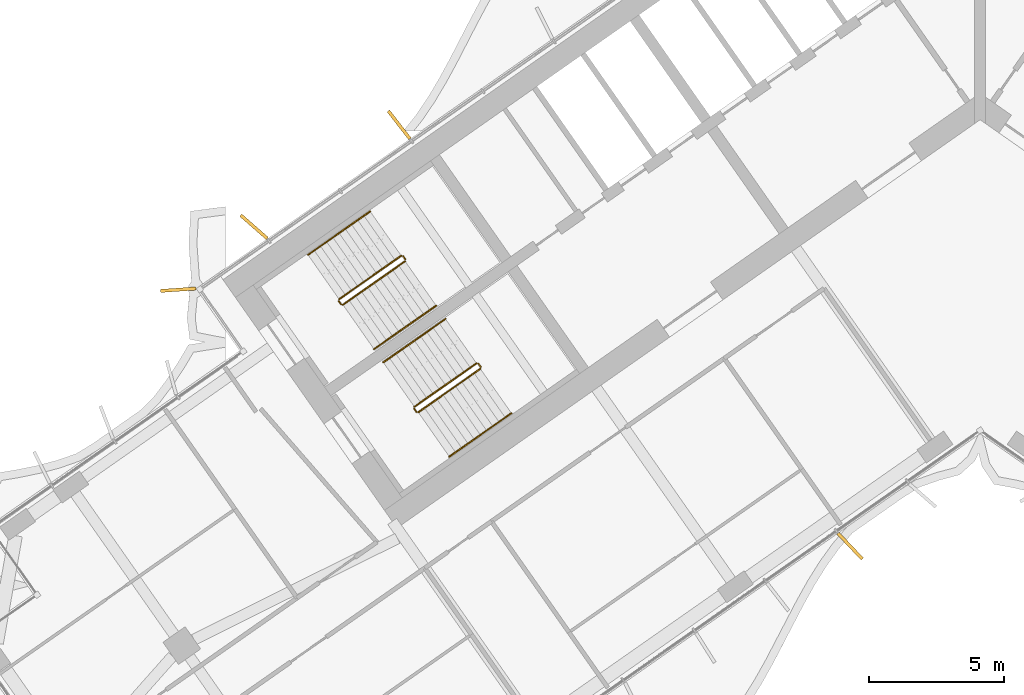
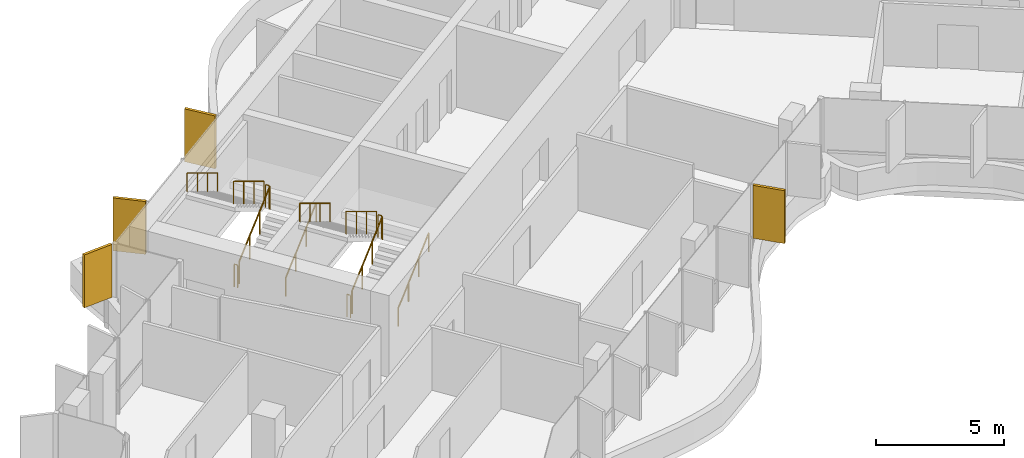
# One storey, part 20 of 23: 12 railings, 4 shading devices.
"""IFC4 building model written with IfcOpenShell, lengths in metres."""

import ifcopenshell
import ifcopenshell.guid

model = None  # the IFC model being written
_history = None  # IfcOwnerHistory: only IFC2X3 demands one
_inside = {}  # id of a spatial element -> (the spatial element, [elements in it])
_under = {}  # id of a project, library or spatial element -> (it, [spatial elements below it])
_declared = {}  # id of a project -> (the project, [libraries it declares])
_typed = {}  # id of a type object -> (the type object, [elements of that type])
_made_of = {}  # id of a material, layer set ... -> (it, [elements and type objects made of it])


def new_model(schema):
    """Start an empty IFC model of exactly this schema.

    Asked for "IFC4X3", IfcOpenShell would pick the latest addendum, in which some entities
    have other attributes; the version numbers below select the first issue.
    IFC2X3 requires an IfcOwnerHistory on every rooted entity: one is made here for all.
    """
    global model, _history
    if schema == "IFC4X3":
        model = ifcopenshell.file(schema_version=(4, 3, 0, 0))
    else:
        model = ifcopenshell.file(schema=schema)
    _inside.clear()
    _under.clear()
    _declared.clear()
    _typed.clear()
    _made_of.clear()
    _history = None
    if model.schema == "IFC2X3":
        org = make("IfcOrganization", Name="unknown")
        user = make(
            "IfcPersonAndOrganization",
            ThePerson=make("IfcPerson", FamilyName="unknown"),
            TheOrganization=org,
        )
        app = make(
            "IfcApplication",
            ApplicationDeveloper=org,
            Version="unknown",
            ApplicationFullName="unknown",
            ApplicationIdentifier="unknown",
        )
        _history = make(
            "IfcOwnerHistory",
            OwningUser=user,
            OwningApplication=app,
            ChangeAction="ADDED",
            CreationDate=0,
        )
    return model


def make(cls, **values):
    """One entity of the class cls with the attributes given. An attribute that is None is left unset."""
    return model.create_entity(
        cls, **{name: value for name, value in values.items() if value is not None}
    )


def rooted(cls, **values):
    """An entity with a GlobalId (a new one), such as an element, a storey or a relation."""
    return make(cls, GlobalId=ifcopenshell.guid.new(), OwnerHistory=_history, **values)


def si_unit(unit_type, name, prefix=None):
    """IfcSIUnit, for example si_unit("LENGTHUNIT", "METRE", prefix="MILLI")."""
    return make("IfcSIUnit", UnitType=unit_type, Prefix=prefix, Name=name)


def assignment(units):
    """IfcUnitAssignment: the units of a project."""
    return None if units is None else make("IfcUnitAssignment", Units=units)


def point(xyz):
    """IfcCartesianPoint."""
    return None if xyz is None else make("IfcCartesianPoint", Coordinates=xyz)


def direction(xyz):
    """IfcDirection."""
    return None if xyz is None else make("IfcDirection", DirectionRatios=xyz)


def frame(location, z_axis=None, x_axis=None):
    """IfcAxis2Placement3D, a coordinate frame: its origin and axes. An axis left out is left unset."""
    return make(
        "IfcAxis2Placement3D",
        Location=point(location),
        Axis=direction(z_axis),
        RefDirection=direction(x_axis),
    )


def frame_2d(location, x_axis=None):
    """IfcAxis2Placement2D, a coordinate frame in the plane: its origin and x axis."""
    return make(
        "IfcAxis2Placement2D", Location=point(location), RefDirection=direction(x_axis)
    )


def origin():
    """The frame at (0, 0, 0) with its axes left unset."""
    return frame((0.0, 0.0, 0.0))


def origin_2d():
    """The frame at (0, 0) in the plane with its x axis left unset."""
    return frame_2d((0.0, 0.0))


def place(relative_to, where):
    """IfcLocalPlacement: puts the frame where relative to a parent placement (None: the world)."""
    return make(
        "IfcLocalPlacement", PlacementRelTo=relative_to, RelativePlacement=where
    )


def context(
    kind, dimensions, precision=None, world=None, true_north=None, identifier=None
):
    """IfcGeometricRepresentationContext, for example the 3D "Model" context."""
    return make(
        "IfcGeometricRepresentationContext",
        ContextIdentifier=identifier,
        ContextType=kind,
        CoordinateSpaceDimension=dimensions,
        Precision=precision,
        WorldCoordinateSystem=world,
        TrueNorth=true_north,
    )


def subcontext(parent, identifier, kind, view, scale=None):
    """IfcGeometricRepresentationSubContext, for example "Body" below "Model"."""
    return make(
        "IfcGeometricRepresentationSubContext",
        ContextIdentifier=identifier,
        ContextType=kind,
        ParentContext=parent,
        TargetScale=scale,
        TargetView=view,
    )


def project(units=None, contexts=None):
    """IfcProject with its units and contexts."""
    return rooted(
        "IfcProject",
        Name="project",
        RepresentationContexts=contexts,
        UnitsInContext=assignment(units),
    )


def spatial(cls, under=None, at=None, **own):
    """A site, building, storey or space (cls), placed at a placement, below another one or the project."""
    s = rooted(cls, ObjectPlacement=at, **own)
    if under is not None:
        _under.setdefault(under.id(), (under, []))[1].append(s)
    return s


def profile(cls, at=None, kind="AREA", **sizes):
    """A parametric profile (cls). Its sizes go by their IFC names, for example OverallWidth=200.0."""
    return make(cls, ProfileType=kind, Position=at, **sizes)


def rectangle(**sizes):
    """IfcRectangleProfileDef."""
    return profile("IfcRectangleProfileDef", **sizes)


def circle(**sizes):
    """IfcCircleProfileDef."""
    return profile("IfcCircleProfileDef", **sizes)


def extrude(swept, where, along, depth):
    """IfcExtrudedAreaSolid: the profile swept, set in the frame where, extruded along a direction by depth."""
    return make(
        "IfcExtrudedAreaSolid",
        SweptArea=swept,
        Position=where,
        ExtrudedDirection=direction(along),
        Depth=depth,
    )


def shape(context_of_items, identifier, shape_type, items):
    """IfcShapeRepresentation: the items that make up one representation, for example the "Body"."""
    return make(
        "IfcShapeRepresentation",
        ContextOfItems=context_of_items,
        RepresentationIdentifier=identifier,
        RepresentationType=shape_type,
        Items=items,
    )


def material(Name=None, Category=None):
    """IfcMaterial."""
    return make("IfcMaterial", Name=Name, Category=Category)


def layer(
    of_material, thickness, ventilated=None, Name=None, Category=None, Priority=None
):
    """IfcMaterialLayer: one layer of a wall or slab, of a material (None: an air gap)."""
    return make(
        "IfcMaterialLayer",
        Material=of_material,
        LayerThickness=thickness,
        IsVentilated=ventilated,
        Name=Name,
        Category=Category,
        Priority=Priority,
    )


def layer_set(layers, Name=None):
    """IfcMaterialLayerSet."""
    return make("IfcMaterialLayerSet", MaterialLayers=layers, LayerSetName=Name)


def made_of(thing, what):
    """Note that an element or type object is made of a material, layer set ...; save() writes the relation."""
    if what is not None:
        _made_of.setdefault(what.id(), (what, []))[1].append(thing)
    return thing


def type_object(cls, material=None, **own):
    """A type object (cls), such as IfcWallType, which elements share."""
    return made_of(rooted(cls, **own), material)


def element(
    cls,
    number,
    at=None,
    inside=None,
    cuts=None,
    type_object=None,
    material=None,
    context=None,
    identifier="Body",
    shape_type=None,
    held_by="IfcProductDefinitionShape",
    body=None,
    shapes=None,
    **own,
):
    """One element of the class cls, such as IfcWall. Its Tag is "e" and its number.

    at: its placement. inside: the storey or other place that contains it. cuts: it is an
    opening in that element (IfcRelVoidsElement). A single representation is given by context,
    identifier, shape_type and body (its items); several are given by shapes. held_by: the class
    of the entity that holds the representations. save() writes the other relations.
    """
    e = rooted(cls, Tag="e%d" % number, ObjectPlacement=at, **own)
    if body is not None:
        shapes = [shape(context, identifier, shape_type, body)]
    if shapes is not None:
        e.Representation = make(held_by, Representations=shapes)
    if inside is not None:
        _inside.setdefault(inside.id(), (inside, []))[1].append(e)
    if cuts is not None:
        rooted(
            "IfcRelVoidsElement", RelatingBuildingElement=cuts, RelatedOpeningElement=e
        )
    if type_object is not None:
        _typed.setdefault(type_object.id(), (type_object, []))[1].append(e)
    return made_of(e, material)


def aggregate(whole, parts):
    """IfcRelAggregates: a whole, such as a stair, and the parts it consists of."""
    return rooted("IfcRelAggregates", RelatingObject=whole, RelatedObjects=parts)


def save(model, path):
    """Write the relations noted so far, then the file.

    IfcRelAggregates (storeys below a building ...), IfcRelContainedInSpatialStructure (elements
    in a storey), IfcRelDefinesByType, IfcRelAssociatesMaterial and IfcRelDeclares: one each for
    every whole, place, type object, material and project.
    """
    for whole, parts in _under.values():
        aggregate(whole, parts)
    for where, things in _inside.values():
        rooted(
            "IfcRelContainedInSpatialStructure",
            RelatedElements=things,
            RelatingStructure=where,
        )
    for kind, things in _typed.values():
        rooted("IfcRelDefinesByType", RelatedObjects=things, RelatingType=kind)
    for what, things in _made_of.values():
        rooted("IfcRelAssociatesMaterial", RelatedObjects=things, RelatingMaterial=what)
    for by, libraries in _declared.values():
        rooted("IfcRelDeclares", RelatingContext=by, RelatedDefinitions=libraries)
    model.write(path)


model = new_model("IFC4")

# Units and contexts
model_context = context("Model", 3, precision=1e-05, world=origin(), true_north=direction((0.0, 1.0)))
body_context = subcontext(model_context, "Body", "Model", "MODEL_VIEW")
ifc_project = project(units=[si_unit("LENGTHUNIT", "METRE"), si_unit("AREAUNIT", "SQUARE_METRE"), si_unit("VOLUMEUNIT", "CUBIC_METRE"), si_unit("PLANEANGLEUNIT", "RADIAN"), si_unit("MASSUNIT", "GRAM", prefix="KILO")], contexts=[model_context])

# Site, building, storey
site_placement = place(None, origin())
site = spatial("IfcSite", under=ifc_project, at=site_placement, CompositionType="ELEMENT")
building_placement = place(site_placement, origin())
building = spatial("IfcBuilding", under=site, at=building_placement, Name="Tel Ilan Convention Tower", CompositionType="ELEMENT")
storey_placement = place(building_placement, frame((0.0, 0.0, 186.60009765625)))
storey = spatial("IfcBuildingStorey", under=building, at=storey_placement, Name="L43", CompositionType="ELEMENT", Elevation=186.60009765625)

# Shading devices
ifc_material_1 = material(Name="Aluminium, bronze anodised", Category="aluminium")
ifc_layer = layer(ifc_material_1, 0.1201171875)
ifc_layer_set = layer_set([ifc_layer], Name="FIN BRONZE 1300x120")
shading_device_type = type_object("IfcShadingDeviceType", Name="FIN BRONZE 1300x120", PredefinedType="USERDEFINED", material=ifc_layer_set)
for number, where, z_axis, x_axis, name in (
    (1, (-21.46044921875, -1.4130859375, 1.099853515625), (0.0, 0.0, 1.0), (-0.612600545196, 0.790392669516, 0.0), "FIN"),
    (2, (-26.823974609375, -5.177001953125, 1.099853515625), (0.0, 0.0, 1.0), (-0.753435896329, 0.657521368568, 0.0), "FIN"),
    (3, (-29.62109375, -7.500732421875, 1.099853515625), (0.0, 0.0, 1.0), (-0.997697449973, -0.067821812994, 0.0), "FIN"),
    (4, (-4.799560546875, -16.97412109375, 1.099853515625), (0.0, 0.0, 1.0), (0.686241637865, -0.727373641577, 0.0), "FIN"),
):
    element("IfcShadingDevice", number, at=place(storey_placement, frame(where, z_axis=z_axis, x_axis=x_axis)), inside=storey, type_object=shading_device_type, Name=name, ObjectType="FIN", PredefinedType="USERDEFINED", context=body_context, shape_type="SweptSolid", body=[
        extrude(rectangle(XDim=1.300048828125, YDim=0.1201171875, at=origin_2d()), origin(), (0.0, 0.0, 1.0), 2.52001953125),
    ])

# Railings
ifc_material_2 = material(Name="Stainless Steel Grade 316", Category="steel")
railing_type_1 = type_object("IfcRailingType", Name="Stainless Steel Stair Guard 1100 mm", PredefinedType="GUARDRAIL", material=ifc_material_2)
railing_1_placement = place(storey_placement, frame((-23.535400390625, -8.056396484375, 0.17724609375)))
element("IfcRailing", 5, at=railing_1_placement, inside=storey, type_object=railing_type_1, Name="L43 S1 stair guard 1", PredefinedType="GUARDRAIL", context=body_context, shape_type="SweptSolid", body=[
    extrude(circle(Radius=0.02392578125, at=origin_2d()), frame((0.0, 0.0, 1.076171875), z_axis=(0.692098378994, 0.484653031975, 0.534893701956), x_axis=(-0.573608623498, 0.819129505664, 0.0)), (0.0, 0.0, 1.0), 3.314208984375),
    extrude(circle(Radius=0.02099609375, at=origin_2d()), origin(), (0.0, 0.0, 1.0), 1.052001953125),
    extrude(circle(Radius=0.02099609375, at=origin_2d()), frame((0.7646484375, 0.535400390625, 0.5908203125)), (0.0, 0.0, 1.0), 1.052001953125),
    extrude(circle(Radius=0.02099609375, at=origin_2d()), frame((1.529052734375, 1.07080078125, 1.181884765625)), (0.0, 0.0, 1.0), 1.052001953125),
    extrude(circle(Radius=0.02099609375, at=origin_2d()), frame((2.293701171875, 1.606201171875, 1.772705078125)), (0.0, 0.0, 1.0), 1.052001953125),
])
railing_2_placement = place(storey_placement, frame((-21.2294921875, -6.380615234375, 1.949951171875)))
element("IfcRailing", 6, at=railing_2_placement, inside=storey, type_object=railing_type_1, Name="L43 S1 stair guard 2", PredefinedType="GUARDRAIL", context=body_context, shape_type="SweptSolid", body=[
    extrude(circle(Radius=0.02392578125, at=origin_2d()), frame((0.0, 0.0, 1.076171875), z_axis=(-0.573353020881, 0.819308436089, 0.0), x_axis=(-0.819308436089, -0.573353020881, 0.0)), (0.0, 0.0, 1.0), 0.14990234375),
    extrude(circle(Radius=0.02099609375, at=origin_2d()), origin(), (0.0, 0.0, 1.0), 1.052001953125),
    extrude(circle(Radius=0.02099609375, at=origin_2d()), frame((-0.0859375, 0.122802734375, 0.0)), (0.0, 0.0, 1.0), 1.052001953125),
])
railing_3_placement = place(storey_placement, frame((-21.38525390625, -6.24560546875, 2.127197265625)))
element("IfcRailing", 7, at=railing_3_placement, inside=storey, type_object=railing_type_1, Name="L43 S1 stair guard 3", PredefinedType="GUARDRAIL", context=body_context, shape_type="SweptSolid", body=[
    extrude(circle(Radius=0.02392578125, at=origin_2d()), frame((0.0, 0.0, 1.076171875), z_axis=(-0.692084706163, -0.484621375041, 0.534940073605), x_axis=(0.573591086599, -0.819141785879, 0.0)), (0.0, 0.0, 1.0), 3.313720703125),
    extrude(circle(Radius=0.02099609375, at=origin_2d()), origin(), (0.0, 0.0, 1.0), 1.052001953125),
    extrude(circle(Radius=0.02099609375, at=origin_2d()), frame((-0.764404296875, -0.535400390625, 0.5908203125)), (0.0, 0.0, 1.0), 1.052001953125),
    extrude(circle(Radius=0.02099609375, at=origin_2d()), frame((-1.529052734375, -1.070556640625, 1.181884765625)), (0.0, 0.0, 1.0), 1.052001953125),
    extrude(circle(Radius=0.02099609375, at=origin_2d()), frame((-2.29345703125, -1.60595703125, 1.772705078125)), (0.0, 0.0, 1.0), 1.052001953125),
])
railing_4_placement = place(storey_placement, frame((-23.60498046875, -8.0439453125, 0.0)))
element("IfcRailing", 8, at=railing_4_placement, inside=storey, type_object=railing_type_1, Name="L43 S1 stair guard 4", PredefinedType="GUARDRAIL", context=body_context, shape_type="SweptSolid", body=[
    extrude(circle(Radius=0.02392578125, at=origin_2d()), frame((0.0, 0.0, 1.076171875), z_axis=(-0.574444878118, 0.818543268254, 0.0), x_axis=(-0.818543268254, -0.574444878118, 0.0)), (0.0, 0.0, 1.0), 0.150146484375),
    extrude(circle(Radius=0.02099609375, at=origin_2d()), origin(), (0.0, 0.0, 1.0), 1.052001953125),
    extrude(circle(Radius=0.02099609375, at=origin_2d()), frame((-0.086181640625, 0.122802734375, 0.0)), (0.0, 0.0, 1.0), 1.052001953125),
])
railing_5_placement = place(storey_placement, frame((-20.753662109375, -12.029296875, 0.17724609375)))
element("IfcRailing", 9, at=railing_5_placement, inside=storey, type_object=railing_type_1, Name="L43 S2 stair guard 1", PredefinedType="GUARDRAIL", context=body_context, shape_type="SweptSolid", body=[
    extrude(circle(Radius=0.02392578125, at=origin_2d()), frame((0.0, 0.0, 1.076171875), z_axis=(0.692098378994, 0.484653031975, 0.534893701956), x_axis=(-0.573608623498, 0.819129505664, 0.0)), (0.0, 0.0, 1.0), 3.314208984375),
    extrude(circle(Radius=0.02099609375, at=origin_2d()), origin(), (0.0, 0.0, 1.0), 1.052001953125),
    extrude(circle(Radius=0.02099609375, at=origin_2d()), frame((0.7646484375, 0.535400390625, 0.5908203125)), (0.0, 0.0, 1.0), 1.052001953125),
    extrude(circle(Radius=0.02099609375, at=origin_2d()), frame((1.529052734375, 1.07080078125, 1.181884765625)), (0.0, 0.0, 1.0), 1.052001953125),
    extrude(circle(Radius=0.02099609375, at=origin_2d()), frame((2.293701171875, 1.606201171875, 1.772705078125)), (0.0, 0.0, 1.0), 1.052001953125),
])
railing_6_placement = place(storey_placement, frame((-18.44775390625, -10.353515625, 1.949951171875)))
element("IfcRailing", 10, at=railing_6_placement, inside=storey, type_object=railing_type_1, Name="L43 S2 stair guard 2", PredefinedType="GUARDRAIL", context=body_context, shape_type="SweptSolid", body=[
    extrude(circle(Radius=0.02392578125, at=origin_2d()), frame((0.0, 0.0, 1.076171875), z_axis=(-0.573353020881, 0.819308436089, 0.0), x_axis=(-0.819308436089, -0.573353020881, 0.0)), (0.0, 0.0, 1.0), 0.14990234375),
    extrude(circle(Radius=0.02099609375, at=origin_2d()), origin(), (0.0, 0.0, 1.0), 1.052001953125),
    extrude(circle(Radius=0.02099609375, at=origin_2d()), frame((-0.0859375, 0.122802734375, 0.0)), (0.0, 0.0, 1.0), 1.052001953125),
])
railing_7_placement = place(storey_placement, frame((-18.603271484375, -10.218505859375, 2.127197265625)))
element("IfcRailing", 11, at=railing_7_placement, inside=storey, type_object=railing_type_1, Name="L43 S2 stair guard 3", PredefinedType="GUARDRAIL", context=body_context, shape_type="SweptSolid", body=[
    extrude(circle(Radius=0.02392578125, at=origin_2d()), frame((0.0, 0.0, 1.076171875), z_axis=(-0.692123088272, -0.484596665743, 0.534912798717), x_axis=(0.573550118428, -0.819170471667, 0.0)), (0.0, 0.0, 1.0), 3.31396484375),
    extrude(circle(Radius=0.02099609375, at=origin_2d()), origin(), (0.0, 0.0, 1.0), 1.052001953125),
    extrude(circle(Radius=0.02099609375, at=origin_2d()), frame((-0.7646484375, -0.535400390625, 0.5908203125)), (0.0, 0.0, 1.0), 1.052001953125),
    extrude(circle(Radius=0.02099609375, at=origin_2d()), frame((-1.529052734375, -1.070556640625, 1.181884765625)), (0.0, 0.0, 1.0), 1.052001953125),
    extrude(circle(Radius=0.02099609375, at=origin_2d()), frame((-2.293701171875, -1.60595703125, 1.772705078125)), (0.0, 0.0, 1.0), 1.052001953125),
])
railing_8_placement = place(storey_placement, frame((-20.8232421875, -12.016845703125, 0.0)))
element("IfcRailing", 12, at=railing_8_placement, inside=storey, type_object=railing_type_1, Name="L43 S2 stair guard 4", PredefinedType="GUARDRAIL", context=body_context, shape_type="SweptSolid", body=[
    extrude(circle(Radius=0.02392578125, at=origin_2d()), frame((0.0, 0.0, 1.076171875), z_axis=(-0.573353020881, 0.819308436089, 0.0), x_axis=(-0.819308436089, -0.573353020881, 0.0)), (0.0, 0.0, 1.0), 0.14990234375),
    extrude(circle(Radius=0.02099609375, at=origin_2d()), origin(), (0.0, 0.0, 1.0), 1.052001953125),
    extrude(circle(Radius=0.02099609375, at=origin_2d()), frame((-0.0859375, 0.122802734375, 0.0)), (0.0, 0.0, 1.0), 1.052001953125),
])
ifc_material_3 = material(Name="Stainless Steel Grade 316", Category="steel")
railing_type_2 = type_object("IfcRailingType", Name="Stainless Steel Stair Handrail 900 mm", PredefinedType="HANDRAIL", material=ifc_material_3)
railing_9_placement = place(storey_placement, frame((-22.38818359375, -9.694580078125, 0.17724609375)))
element("IfcRailing", 13, at=railing_9_placement, inside=storey, type_object=railing_type_2, Name="L43 S1 stair handrail 1", PredefinedType="HANDRAIL", context=body_context, shape_type="SweptSolid", body=[
    extrude(circle(Radius=0.02392578125, at=origin_2d()), frame((0.0, 0.0, 0.8759765625), z_axis=(0.692084706163, 0.484621375041, 0.534940073605), x_axis=(-0.573591086599, 0.819141785879, 0.0)), (0.0, 0.0, 1.0), 3.313720703125),
    extrude(circle(Radius=0.02099609375, at=origin_2d()), origin(), (0.0, 0.0, 1.0), 0.851806640625),
    extrude(circle(Radius=0.02099609375, at=origin_2d()), frame((0.764404296875, 0.535400390625, 0.5908203125)), (0.0, 0.0, 1.0), 0.851806640625),
    extrude(circle(Radius=0.02099609375, at=origin_2d()), frame((1.529052734375, 1.070556640625, 1.181884765625)), (0.0, 0.0, 1.0), 0.851806640625),
    extrude(circle(Radius=0.02099609375, at=origin_2d()), frame((2.29345703125, 1.60595703125, 1.772705078125)), (0.0, 0.0, 1.0), 0.851806640625),
])
railing_10_placement = place(storey_placement, frame((-22.5322265625, -4.607177734375, 2.127197265625)))
element("IfcRailing", 14, at=railing_10_placement, inside=storey, type_object=railing_type_2, Name="L43 S1 stair handrail 2", PredefinedType="HANDRAIL", context=body_context, shape_type="SweptSolid", body=[
    extrude(circle(Radius=0.02392578125, at=origin_2d()), frame((0.0, 0.0, 0.8759765625), z_axis=(-0.692123088272, -0.484596665743, 0.534912798717), x_axis=(0.573550118428, -0.819170471667, 0.0)), (0.0, 0.0, 1.0), 3.31396484375),
    extrude(circle(Radius=0.02099609375, at=origin_2d()), origin(), (0.0, 0.0, 1.0), 0.851806640625),
    extrude(circle(Radius=0.02099609375, at=origin_2d()), frame((-0.7646484375, -0.535400390625, 0.5908203125)), (0.0, 0.0, 1.0), 0.851806640625),
    extrude(circle(Radius=0.02099609375, at=origin_2d()), frame((-1.529052734375, -1.070556640625, 1.181884765625)), (0.0, 0.0, 1.0), 0.851806640625),
    extrude(circle(Radius=0.02099609375, at=origin_2d()), frame((-2.293701171875, -1.60595703125, 1.772705078125)), (0.0, 0.0, 1.0), 0.851806640625),
])
railing_11_placement = place(storey_placement, frame((-19.6064453125, -13.66748046875, 0.17724609375)))
element("IfcRailing", 15, at=railing_11_placement, inside=storey, type_object=railing_type_2, Name="L43 S2 stair handrail 1", PredefinedType="HANDRAIL", context=body_context, shape_type="SweptSolid", body=[
    extrude(circle(Radius=0.02392578125, at=origin_2d()), frame((0.0, 0.0, 0.8759765625), z_axis=(0.692123088272, 0.484596665743, 0.534912798717), x_axis=(-0.573550118428, 0.819170471667, 0.0)), (0.0, 0.0, 1.0), 3.31396484375),
    extrude(circle(Radius=0.02099609375, at=origin_2d()), origin(), (0.0, 0.0, 1.0), 0.851806640625),
    extrude(circle(Radius=0.02099609375, at=origin_2d()), frame((0.7646484375, 0.535400390625, 0.5908203125)), (0.0, 0.0, 1.0), 0.851806640625),
    extrude(circle(Radius=0.02099609375, at=origin_2d()), frame((1.529052734375, 1.070556640625, 1.181884765625)), (0.0, 0.0, 1.0), 0.851806640625),
    extrude(circle(Radius=0.02099609375, at=origin_2d()), frame((2.293701171875, 1.60595703125, 1.772705078125)), (0.0, 0.0, 1.0), 0.851806640625),
])
railing_12_placement = place(storey_placement, frame((-19.75048828125, -8.580078125, 2.127197265625)))
element("IfcRailing", 16, at=railing_12_placement, inside=storey, type_object=railing_type_2, Name="L43 S2 stair handrail 2", PredefinedType="HANDRAIL", context=body_context, shape_type="SweptSolid", body=[
    extrude(circle(Radius=0.02392578125, at=origin_2d()), frame((0.0, 0.0, 0.8759765625), z_axis=(-0.692123088272, -0.484596665743, 0.534912798717), x_axis=(0.573550118428, -0.819170471667, 0.0)), (0.0, 0.0, 1.0), 3.31396484375),
    extrude(circle(Radius=0.02099609375, at=origin_2d()), origin(), (0.0, 0.0, 1.0), 0.851806640625),
    extrude(circle(Radius=0.02099609375, at=origin_2d()), frame((-0.7646484375, -0.535400390625, 0.5908203125)), (0.0, 0.0, 1.0), 0.851806640625),
    extrude(circle(Radius=0.02099609375, at=origin_2d()), frame((-1.529052734375, -1.070556640625, 1.181884765625)), (0.0, 0.0, 1.0), 0.851806640625),
    extrude(circle(Radius=0.02099609375, at=origin_2d()), frame((-2.293701171875, -1.60595703125, 1.772705078125)), (0.0, 0.0, 1.0), 0.851806640625),
])

save(model, "model.ifc")
